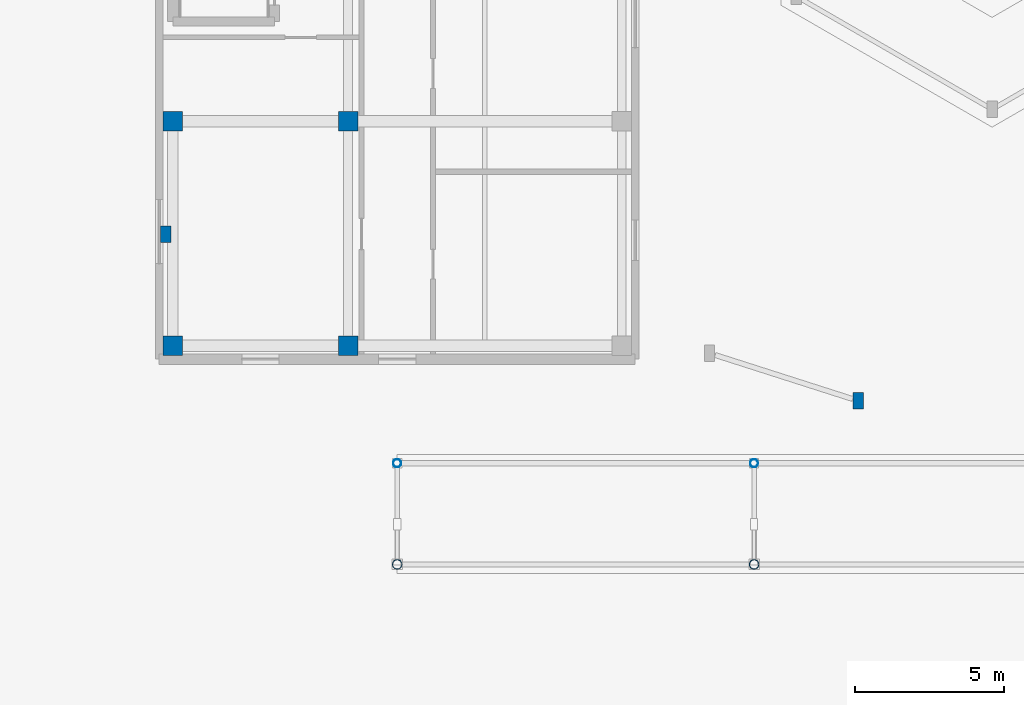
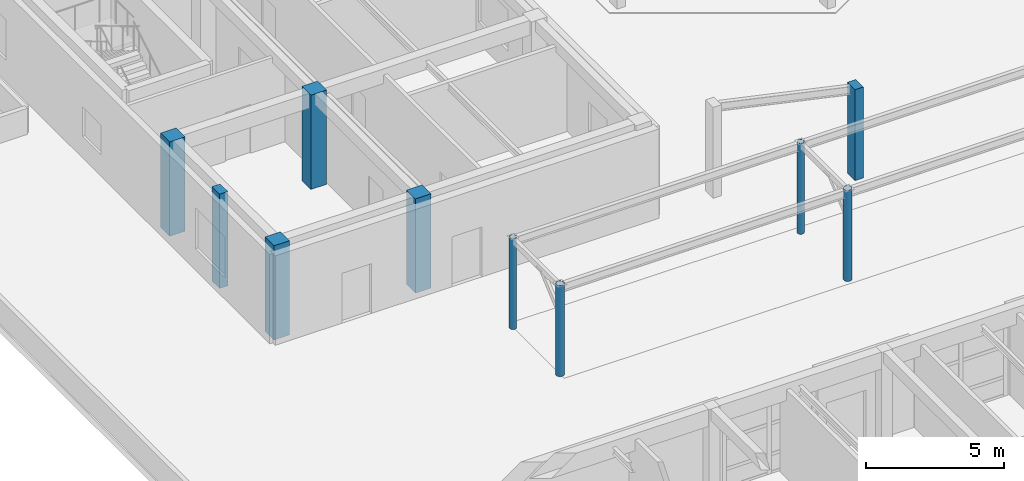
# One storey, part 2 of 114: 10 columns.
"""IFC4 building model written with IfcOpenShell, lengths in metres."""

from ifc_helpers import new_model, si_unit, direction, frame, origin, origin_2d, place, context, subcontext, project, spatial, rectangle, hollow_circle, extrude, material, material_profile, profile_set, type_object, element, save


model = new_model("IFC4")

# Units and contexts
model_context = context("Model", 3, precision=1e-05, world=origin(), true_north=direction((0.0, 1.0)))
body_context = subcontext(model_context, "Body", "Model", "MODEL_VIEW")
ifc_project = project(units=[si_unit("LENGTHUNIT", "METRE"), si_unit("AREAUNIT", "SQUARE_METRE"), si_unit("VOLUMEUNIT", "CUBIC_METRE"), si_unit("PLANEANGLEUNIT", "RADIAN"), si_unit("MASSUNIT", "GRAM", prefix="KILO")], contexts=[model_context])

# Site, building, storey
site_placement = place(None, origin())
site = spatial("IfcSite", under=ifc_project, at=site_placement, CompositionType="ELEMENT")
building_placement = place(site_placement, origin())
building = spatial("IfcBuilding", under=site, at=building_placement, Name="Keldmere Railside Commons", CompositionType="ELEMENT")
storey_placement = place(building_placement, origin())
storey = spatial("IfcBuildingStorey", under=building, at=storey_placement, Name="L00", CompositionType="ELEMENT", Elevation=0.0)

# Columns
ifc_material_1 = material(Name="Steel F-36 (S355)", Category="steel")
ifc_material_profile_1 = material_profile(ifc_material_1, hollow_circle(Radius=0.162109375, WallThickness=0.011962890625, at=origin_2d()), Name="CHS-324x12")
ifc_profile_set_1 = profile_set([ifc_material_profile_1], Name="Steel F-36 (S355)")
column_type_1 = type_object("IfcColumnType", Name="Colonnade Gallery Steel Column CHS324", PredefinedType="COLUMN", material=ifc_profile_set_1)
for number, where, z_axis, x_axis, name in (
    (1, (16.0, 49.10009765625, 0.0), (0.0, 0.0, 1.0), (1.0, 0.0, 0.0), "SC-1 COL-L00-0150"),
    (2, (28.0, 49.10009765625, 0.0), (0.0, 0.0, 1.0), (1.0, 0.0, 0.0), "SC-1 COL-L00-0279"),
):
    element("IfcColumn", number, at=place(storey_placement, frame(where, z_axis=z_axis, x_axis=x_axis)), inside=storey, type_object=column_type_1, Name=name, PredefinedType="COLUMN", context=body_context, shape_type="SweptSolid", body=[
        extrude(hollow_circle(Radius=0.162109375, WallThickness=0.011962890625, at=origin_2d()), origin(), (0.0, 0.0, 1.0), 4.010009765625),
    ])
ifc_material_profile_2 = material_profile(ifc_material_1, hollow_circle(Radius=0.136474609375, WallThickness=0.010009765625, at=origin_2d()), Name="CHS-273x10")
ifc_profile_set_2 = profile_set([ifc_material_profile_2], Name="Steel F-36 (S355)")
column_type_2 = type_object("IfcColumnType", Name="Entrance Canopy Steel Column CHS273", PredefinedType="COLUMN", material=ifc_profile_set_2)
for number, where, z_axis, x_axis, name in (
    (3, (16.0, 52.5, 0.0), (0.0, 0.0, 1.0), (1.0, 0.0, 0.0), "SC-2 COL-L00-0152"),
    (4, (28.0, 52.5, 0.0), (0.0, 0.0, 1.0), (1.0, 0.0, 0.0), "SC-2 COL-L00-0281"),
):
    element("IfcColumn", number, at=place(storey_placement, frame(where, z_axis=z_axis, x_axis=x_axis)), inside=storey, type_object=column_type_2, Name=name, PredefinedType="COLUMN", context=body_context, shape_type="SweptSolid", body=[
        extrude(hollow_circle(Radius=0.136474609375, WallThickness=0.010009765625, at=origin_2d()), origin(), (0.0, 0.0, 1.0), 4.010009765625),
    ])
ifc_material_2 = material(Name="Architectural Precast Concrete H-35 (C35/45)", Category="concrete")
ifc_material_profile_3 = material_profile(ifc_material_2, rectangle(XDim=0.35009765625, YDim=0.550048828125, at=origin_2d()), Name="RC-350x550")
ifc_profile_set_3 = profile_set([ifc_material_profile_3], Name="Architectural Precast Concrete H-35 (C35/45)")
column_type_3 = type_object("IfcColumnType", Name="Facade Precast Pilaster Column 350x550", PredefinedType="PILASTER", material=ifc_profile_set_3)
column_1_placement = place(storey_placement, frame((8.219970703125, 60.199951171875, 0.0), z_axis=(0.0, 0.0, 1.0), x_axis=(1.0, 0.0, 0.0)))
element("IfcColumn", 5, at=column_1_placement, inside=storey, type_object=column_type_3, Name="C-PIL COL-L00-0010", PredefinedType="PILASTER", context=body_context, shape_type="SweptSolid", body=[
    extrude(rectangle(XDim=0.35009765625, YDim=0.550048828125, at=origin_2d()), origin(), (0.0, 0.0, 1.0), 4.159912109375),
])
column_2_placement = place(storey_placement, frame((31.5, 54.60009765625, 0.0), z_axis=(0.0, 0.0, 1.0), x_axis=(1.0, 0.0, 0.0)))
element("IfcColumn", 6, at=column_2_placement, inside=storey, type_object=column_type_3, Name="C-PIL COL-L00-0287", PredefinedType="PILASTER", context=body_context, shape_type="SweptSolid", body=[
    extrude(rectangle(XDim=0.35009765625, YDim=0.550048828125, at=origin_2d()), origin(), (0.0, 0.0, 1.0), 4.010009765625),
])
ifc_material_3 = material(Name="Concrete H-40 (C40/50)", Category="concrete")
ifc_material_profile_4 = material_profile(ifc_material_3, rectangle(XDim=0.64990234375, YDim=0.64990234375, at=origin_2d()), Name="RC-650x650")
ifc_profile_set_4 = profile_set([ifc_material_profile_4], Name="Concrete H-40 (C40/50)")
column_type_4 = type_object("IfcColumnType", Name="Podium RC Column 650x650", PredefinedType="COLUMN", material=ifc_profile_set_4)
for number, where, z_axis, x_axis, name in (
    (7, (8.449951171875, 56.449951171875, 0.0), (0.0, 0.0, 1.0), (1.0, 0.0, 0.0), "C-650 COL-L00-0040"),
    (8, (8.449951171875, 64.0, 0.0), (0.0, 0.0, 1.0), (1.0, 0.0, 0.0), "C-650 COL-L00-0046"),
    (9, (14.35009765625, 56.449951171875, 0.0), (0.0, 0.0, 1.0), (1.0, 0.0, 0.0), "C-650 COL-L00-0098"),
    (10, (14.35009765625, 64.0, 0.0), (0.0, 0.0, 1.0), (1.0, 0.0, 0.0), "C-650 COL-L00-0104"),
):
    element("IfcColumn", number, at=place(storey_placement, frame(where, z_axis=z_axis, x_axis=x_axis)), inside=storey, type_object=column_type_4, Name=name, PredefinedType="COLUMN", context=body_context, shape_type="SweptSolid", body=[
        extrude(rectangle(XDim=0.64990234375, YDim=0.64990234375, at=origin_2d()), origin(), (0.0, 0.0, 1.0), 4.159912109375),
    ])

save(model, "model.ifc")
